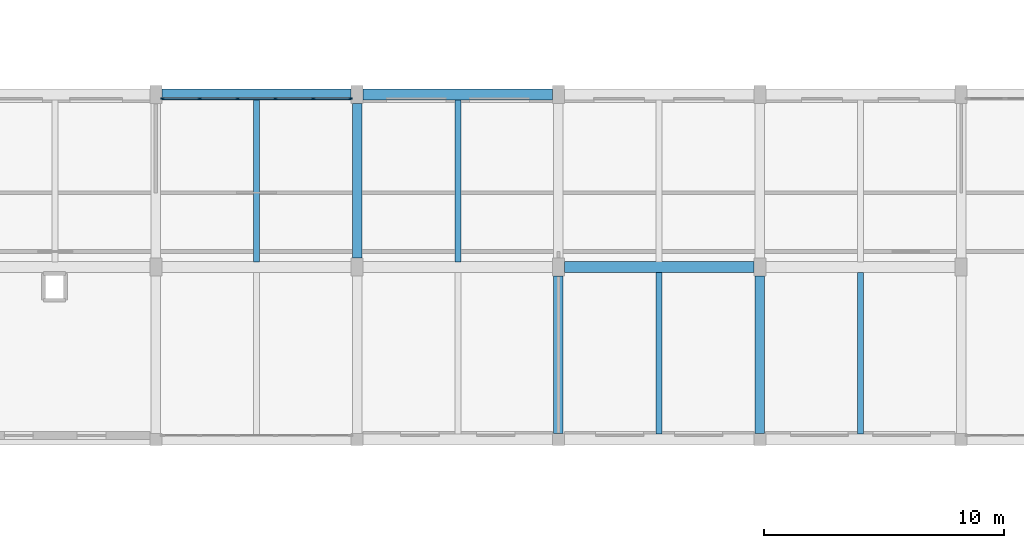
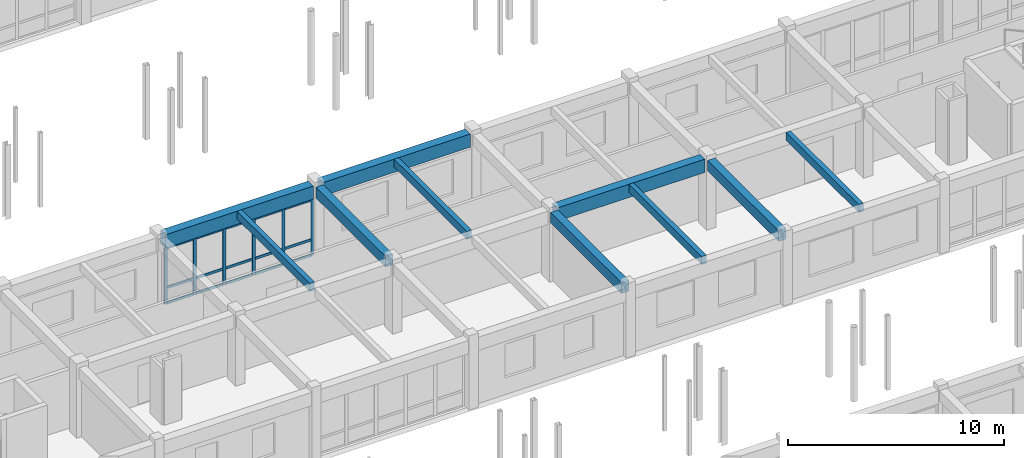
# One storey, part 41 of 90: 21 members, 10 beams, 1 element without a shape of its own.
"""IFC4 building model written with IfcOpenShell, lengths in metres."""

import ifcopenshell
import ifcopenshell.guid

model = None  # the IFC model being written
_history = None  # IfcOwnerHistory: only IFC2X3 demands one
_inside = {}  # id of a spatial element -> (the spatial element, [elements in it])
_under = {}  # id of a project, library or spatial element -> (it, [spatial elements below it])
_declared = {}  # id of a project -> (the project, [libraries it declares])
_typed = {}  # id of a type object -> (the type object, [elements of that type])
_made_of = {}  # id of a material, layer set ... -> (it, [elements and type objects made of it])


def new_model(schema):
    """Start an empty IFC model of exactly this schema.

    Asked for "IFC4X3", IfcOpenShell would pick the latest addendum, in which some entities
    have other attributes; the version numbers below select the first issue.
    IFC2X3 requires an IfcOwnerHistory on every rooted entity: one is made here for all.
    """
    global model, _history
    if schema == "IFC4X3":
        model = ifcopenshell.file(schema_version=(4, 3, 0, 0))
    else:
        model = ifcopenshell.file(schema=schema)
    _inside.clear()
    _under.clear()
    _declared.clear()
    _typed.clear()
    _made_of.clear()
    _history = None
    if model.schema == "IFC2X3":
        org = make("IfcOrganization", Name="unknown")
        user = make(
            "IfcPersonAndOrganization",
            ThePerson=make("IfcPerson", FamilyName="unknown"),
            TheOrganization=org,
        )
        app = make(
            "IfcApplication",
            ApplicationDeveloper=org,
            Version="unknown",
            ApplicationFullName="unknown",
            ApplicationIdentifier="unknown",
        )
        _history = make(
            "IfcOwnerHistory",
            OwningUser=user,
            OwningApplication=app,
            ChangeAction="ADDED",
            CreationDate=0,
        )
    return model


def make(cls, **values):
    """One entity of the class cls with the attributes given. An attribute that is None is left unset."""
    return model.create_entity(
        cls, **{name: value for name, value in values.items() if value is not None}
    )


def rooted(cls, **values):
    """An entity with a GlobalId (a new one), such as an element, a storey or a relation."""
    return make(cls, GlobalId=ifcopenshell.guid.new(), OwnerHistory=_history, **values)


def si_unit(unit_type, name, prefix=None):
    """IfcSIUnit, for example si_unit("LENGTHUNIT", "METRE", prefix="MILLI")."""
    return make("IfcSIUnit", UnitType=unit_type, Prefix=prefix, Name=name)


def assignment(units):
    """IfcUnitAssignment: the units of a project."""
    return None if units is None else make("IfcUnitAssignment", Units=units)


def point(xyz):
    """IfcCartesianPoint."""
    return None if xyz is None else make("IfcCartesianPoint", Coordinates=xyz)


def direction(xyz):
    """IfcDirection."""
    return None if xyz is None else make("IfcDirection", DirectionRatios=xyz)


def frame(location, z_axis=None, x_axis=None):
    """IfcAxis2Placement3D, a coordinate frame: its origin and axes. An axis left out is left unset."""
    return make(
        "IfcAxis2Placement3D",
        Location=point(location),
        Axis=direction(z_axis),
        RefDirection=direction(x_axis),
    )


def frame_2d(location, x_axis=None):
    """IfcAxis2Placement2D, a coordinate frame in the plane: its origin and x axis."""
    return make(
        "IfcAxis2Placement2D", Location=point(location), RefDirection=direction(x_axis)
    )


def origin():
    """The frame at (0, 0, 0) with its axes left unset."""
    return frame((0.0, 0.0, 0.0))


def origin_2d():
    """The frame at (0, 0) in the plane with its x axis left unset."""
    return frame_2d((0.0, 0.0))


def place(relative_to, where):
    """IfcLocalPlacement: puts the frame where relative to a parent placement (None: the world)."""
    return make(
        "IfcLocalPlacement", PlacementRelTo=relative_to, RelativePlacement=where
    )


def context(
    kind, dimensions, precision=None, world=None, true_north=None, identifier=None
):
    """IfcGeometricRepresentationContext, for example the 3D "Model" context."""
    return make(
        "IfcGeometricRepresentationContext",
        ContextIdentifier=identifier,
        ContextType=kind,
        CoordinateSpaceDimension=dimensions,
        Precision=precision,
        WorldCoordinateSystem=world,
        TrueNorth=true_north,
    )


def subcontext(parent, identifier, kind, view, scale=None):
    """IfcGeometricRepresentationSubContext, for example "Body" below "Model"."""
    return make(
        "IfcGeometricRepresentationSubContext",
        ContextIdentifier=identifier,
        ContextType=kind,
        ParentContext=parent,
        TargetScale=scale,
        TargetView=view,
    )


def project(units=None, contexts=None):
    """IfcProject with its units and contexts."""
    return rooted(
        "IfcProject",
        Name="project",
        RepresentationContexts=contexts,
        UnitsInContext=assignment(units),
    )


def spatial(cls, under=None, at=None, **own):
    """A site, building, storey or space (cls), placed at a placement, below another one or the project."""
    s = rooted(cls, ObjectPlacement=at, **own)
    if under is not None:
        _under.setdefault(under.id(), (under, []))[1].append(s)
    return s


def profile(cls, at=None, kind="AREA", **sizes):
    """A parametric profile (cls). Its sizes go by their IFC names, for example OverallWidth=200.0."""
    return make(cls, ProfileType=kind, Position=at, **sizes)


def rectangle(**sizes):
    """IfcRectangleProfileDef."""
    return profile("IfcRectangleProfileDef", **sizes)


def extrude(swept, where, along, depth):
    """IfcExtrudedAreaSolid: the profile swept, set in the frame where, extruded along a direction by depth."""
    return make(
        "IfcExtrudedAreaSolid",
        SweptArea=swept,
        Position=where,
        ExtrudedDirection=direction(along),
        Depth=depth,
    )


def shape(context_of_items, identifier, shape_type, items):
    """IfcShapeRepresentation: the items that make up one representation, for example the "Body"."""
    return make(
        "IfcShapeRepresentation",
        ContextOfItems=context_of_items,
        RepresentationIdentifier=identifier,
        RepresentationType=shape_type,
        Items=items,
    )


def material(Name=None, Category=None):
    """IfcMaterial."""
    return make("IfcMaterial", Name=Name, Category=Category)


def material_profile(
    of_material, cross_section, Name=None, Category=None, Priority=None
):
    """IfcMaterialProfile: a cross section and its material."""
    return make(
        "IfcMaterialProfile",
        Name=Name,
        Material=of_material,
        Profile=cross_section,
        Priority=Priority,
        Category=Category,
    )


def profile_set(profiles, Name=None, composite=None):
    """IfcMaterialProfileSet."""
    return make(
        "IfcMaterialProfileSet",
        Name=Name,
        MaterialProfiles=profiles,
        CompositeProfile=composite,
    )


def made_of(thing, what):
    """Note that an element or type object is made of a material, layer set ...; save() writes the relation."""
    if what is not None:
        _made_of.setdefault(what.id(), (what, []))[1].append(thing)
    return thing


def type_object(cls, material=None, **own):
    """A type object (cls), such as IfcWallType, which elements share."""
    return made_of(rooted(cls, **own), material)


def element(
    cls,
    number,
    at=None,
    inside=None,
    cuts=None,
    type_object=None,
    material=None,
    context=None,
    identifier="Body",
    shape_type=None,
    held_by="IfcProductDefinitionShape",
    body=None,
    shapes=None,
    **own,
):
    """One element of the class cls, such as IfcWall. Its Tag is "e" and its number.

    at: its placement. inside: the storey or other place that contains it. cuts: it is an
    opening in that element (IfcRelVoidsElement). A single representation is given by context,
    identifier, shape_type and body (its items); several are given by shapes. held_by: the class
    of the entity that holds the representations. save() writes the other relations.
    """
    e = rooted(cls, Tag="e%d" % number, ObjectPlacement=at, **own)
    if body is not None:
        shapes = [shape(context, identifier, shape_type, body)]
    if shapes is not None:
        e.Representation = make(held_by, Representations=shapes)
    if inside is not None:
        _inside.setdefault(inside.id(), (inside, []))[1].append(e)
    if cuts is not None:
        rooted(
            "IfcRelVoidsElement", RelatingBuildingElement=cuts, RelatedOpeningElement=e
        )
    if type_object is not None:
        _typed.setdefault(type_object.id(), (type_object, []))[1].append(e)
    return made_of(e, material)


def aggregate(whole, parts):
    """IfcRelAggregates: a whole, such as a stair, and the parts it consists of."""
    return rooted("IfcRelAggregates", RelatingObject=whole, RelatedObjects=parts)


def save(model, path):
    """Write the relations noted so far, then the file.

    IfcRelAggregates (storeys below a building ...), IfcRelContainedInSpatialStructure (elements
    in a storey), IfcRelDefinesByType, IfcRelAssociatesMaterial and IfcRelDeclares: one each for
    every whole, place, type object, material and project.
    """
    for whole, parts in _under.values():
        aggregate(whole, parts)
    for where, things in _inside.values():
        rooted(
            "IfcRelContainedInSpatialStructure",
            RelatedElements=things,
            RelatingStructure=where,
        )
    for kind, things in _typed.values():
        rooted("IfcRelDefinesByType", RelatedObjects=things, RelatingType=kind)
    for what, things in _made_of.values():
        rooted("IfcRelAssociatesMaterial", RelatedObjects=things, RelatingMaterial=what)
    for by, libraries in _declared.values():
        rooted("IfcRelDeclares", RelatingContext=by, RelatedDefinitions=libraries)
    model.write(path)


model = new_model("IFC4")

# Units and contexts
model_context = context("Model", 3, precision=1e-05, world=origin(), true_north=direction((0.0, 1.0)))
body_context = subcontext(model_context, "Body", "Model", "MODEL_VIEW")
ifc_project = project(units=[si_unit("LENGTHUNIT", "METRE"), si_unit("AREAUNIT", "SQUARE_METRE"), si_unit("VOLUMEUNIT", "CUBIC_METRE"), si_unit("PLANEANGLEUNIT", "RADIAN"), si_unit("MASSUNIT", "GRAM", prefix="KILO")], contexts=[model_context])

# Site, building, storey
site_placement = place(None, origin())
site = spatial("IfcSite", under=ifc_project, at=site_placement, CompositionType="ELEMENT")
building_placement = place(site_placement, origin())
building = spatial("IfcBuilding", under=site, at=building_placement, Name="Malvenik Polytechnic", CompositionType="ELEMENT")
storey_placement = place(building_placement, frame((0.0, 0.0, 9.300048828125)))
storey = spatial("IfcBuildingStorey", under=building, at=storey_placement, Name="L02", CompositionType="ELEMENT", Elevation=9.300048828125)

# Curtain wall, members
ifc_material_1 = material(Name="Anodised aluminium 6060-T6", Category="aluminium")
curtain_wall_type = type_object("IfcCurtainWallType", Name="ARC-CW-CW-03", PredefinedType="NOTDEFINED", material=ifc_material_1)
curtain_wall_placement = place(storey_placement, origin())
curtain_wall = element("IfcCurtainWall", 1, at=curtain_wall_placement, inside=storey, type_object=curtain_wall_type, Name="Unitised Curtain Wall CW-03 L02 #152", PredefinedType="NOTDEFINED")
ifc_material_2 = material(Name="Anodised aluminium", Category="aluminium")
ifc_material_profile_1 = material_profile(ifc_material_2, rectangle(XDim=0.06005859375, YDim=0.159912109375, at=origin_2d()), Name="ALU MULLION 60x160")
ifc_profile_set_1 = profile_set([ifc_material_profile_1], Name="Anodised aluminium")
member_type_1 = type_object("IfcMemberType", Name="ARC-CWM-160", PredefinedType="MULLION", material=ifc_profile_set_1)
member_1_placement = place(storey_placement, frame((33.8779296875, 93.429931640625, 0.0), z_axis=(0.0, 0.0, 1.0), x_axis=(0.0, 1.0, 0.0)))
member_1 = element("IfcMember", 2, at=member_1_placement, type_object=member_type_1, Name="CW-03 mullion 1", PredefinedType="MULLION", context=body_context, shape_type="SweptSolid", body=[
    extrude(rectangle(XDim=0.06005859375, YDim=0.159912109375, at=origin_2d()), origin(), (0.0, 0.0, 1.0), 3.179931640625),
])
member_2_placement = place(storey_placement, frame((35.4287109375, 93.429931640625, 0.0), z_axis=(0.0, 0.0, 1.0), x_axis=(0.0, 1.0, 0.0)))
member_2 = element("IfcMember", 3, at=member_2_placement, type_object=member_type_1, Name="CW-03 mullion 2", PredefinedType="MULLION", context=body_context, shape_type="SweptSolid", body=[
    extrude(rectangle(XDim=0.06005859375, YDim=0.159912109375, at=origin_2d()), origin(), (0.0, 0.0, 1.0), 3.179931640625),
])
member_3_placement = place(storey_placement, frame((37.009521484375, 93.429931640625, 0.0), z_axis=(0.0, 0.0, 1.0), x_axis=(0.0, 1.0, 0.0)))
member_3 = element("IfcMember", 4, at=member_3_placement, type_object=member_type_1, Name="CW-03 mullion 3", PredefinedType="MULLION", context=body_context, shape_type="SweptSolid", body=[
    extrude(rectangle(XDim=0.06005859375, YDim=0.159912109375, at=origin_2d()), origin(), (0.0, 0.0, 1.0), 3.179931640625),
])
member_4_placement = place(storey_placement, frame((38.59033203125, 93.429931640625, 0.0), z_axis=(0.0, 0.0, 1.0), x_axis=(0.0, 1.0, 0.0)))
member_4 = element("IfcMember", 5, at=member_4_placement, type_object=member_type_1, Name="CW-03 mullion 4", PredefinedType="MULLION", context=body_context, shape_type="SweptSolid", body=[
    extrude(rectangle(XDim=0.06005859375, YDim=0.159912109375, at=origin_2d()), origin(), (0.0, 0.0, 1.0), 3.179931640625),
])
member_5_placement = place(storey_placement, frame((40.171142578125, 93.429931640625, 0.0), z_axis=(0.0, 0.0, 1.0), x_axis=(0.0, 1.0, 0.0)))
member_5 = element("IfcMember", 6, at=member_5_placement, type_object=member_type_1, Name="CW-03 mullion 5", PredefinedType="MULLION", context=body_context, shape_type="SweptSolid", body=[
    extrude(rectangle(XDim=0.06005859375, YDim=0.159912109375, at=origin_2d()), origin(), (0.0, 0.0, 1.0), 3.179931640625),
])
member_6_placement = place(storey_placement, frame((41.721923828125, 93.429931640625, 0.0), z_axis=(0.0, 0.0, 1.0), x_axis=(0.0, 1.0, 0.0)))
member_6 = element("IfcMember", 7, at=member_6_placement, type_object=member_type_1, Name="CW-03 mullion 6", PredefinedType="MULLION", context=body_context, shape_type="SweptSolid", body=[
    extrude(rectangle(XDim=0.06005859375, YDim=0.159912109375, at=origin_2d()), origin(), (0.0, 0.0, 1.0), 3.179931640625),
])
ifc_material_profile_2 = material_profile(ifc_material_2, rectangle(XDim=0.06005859375, YDim=0.139892578125, at=origin_2d()), Name="ALU TRANSOM 60x140")
ifc_profile_set_2 = profile_set([ifc_material_profile_2], Name="Anodised aluminium")
member_type_2 = type_object("IfcMemberType", Name="ARC-CWT-140", PredefinedType="USERDEFINED", material=ifc_profile_set_2)
member_7_placement = place(storey_placement, frame((33.907958984375, 93.429931640625, 0.030029296875), z_axis=(1.0, 0.0, 0.0), x_axis=(0.0, 1.0, 0.0)))
member_7 = element("IfcMember", 8, at=member_7_placement, type_object=member_type_2, Name="CW-03 transom 1.1", ObjectType="TRANSOM", PredefinedType="USERDEFINED", context=body_context, shape_type="SweptSolid", body=[
    extrude(rectangle(XDim=0.06005859375, YDim=0.139892578125, at=origin_2d()), origin(), (0.0, 0.0, 1.0), 1.49072265625),
])
member_8_placement = place(storey_placement, frame((33.907958984375, 93.429931640625, 0.89990234375), z_axis=(1.0, 0.0, 0.0), x_axis=(0.0, 1.0, 0.0)))
member_8 = element("IfcMember", 9, at=member_8_placement, type_object=member_type_2, Name="CW-03 transom 1.2", ObjectType="TRANSOM", PredefinedType="USERDEFINED", context=body_context, shape_type="SweptSolid", body=[
    extrude(rectangle(XDim=0.06005859375, YDim=0.139892578125, at=origin_2d()), origin(), (0.0, 0.0, 1.0), 1.49072265625),
])
member_9_placement = place(storey_placement, frame((33.907958984375, 93.429931640625, 3.14990234375), z_axis=(1.0, 0.0, 0.0), x_axis=(0.0, 1.0, 0.0)))
member_9 = element("IfcMember", 10, at=member_9_placement, type_object=member_type_2, Name="CW-03 transom 1.3", ObjectType="TRANSOM", PredefinedType="USERDEFINED", context=body_context, shape_type="SweptSolid", body=[
    extrude(rectangle(XDim=0.06005859375, YDim=0.139892578125, at=origin_2d()), origin(), (0.0, 0.0, 1.0), 1.49072265625),
])
member_10_placement = place(storey_placement, frame((35.458740234375, 93.429931640625, 0.030029296875), z_axis=(1.0, 0.0, 0.0), x_axis=(0.0, 1.0, 0.0)))
member_10 = element("IfcMember", 11, at=member_10_placement, type_object=member_type_2, Name="CW-03 transom 2.1", ObjectType="TRANSOM", PredefinedType="USERDEFINED", context=body_context, shape_type="SweptSolid", body=[
    extrude(rectangle(XDim=0.06005859375, YDim=0.139892578125, at=origin_2d()), origin(), (0.0, 0.0, 1.0), 1.520751953125),
])
member_11_placement = place(storey_placement, frame((35.458740234375, 93.429931640625, 0.89990234375), z_axis=(1.0, 0.0, 0.0), x_axis=(0.0, 1.0, 0.0)))
member_11 = element("IfcMember", 12, at=member_11_placement, type_object=member_type_2, Name="CW-03 transom 2.2", ObjectType="TRANSOM", PredefinedType="USERDEFINED", context=body_context, shape_type="SweptSolid", body=[
    extrude(rectangle(XDim=0.06005859375, YDim=0.139892578125, at=origin_2d()), origin(), (0.0, 0.0, 1.0), 1.520751953125),
])
member_12_placement = place(storey_placement, frame((35.458740234375, 93.429931640625, 3.14990234375), z_axis=(1.0, 0.0, 0.0), x_axis=(0.0, 1.0, 0.0)))
member_12 = element("IfcMember", 13, at=member_12_placement, type_object=member_type_2, Name="CW-03 transom 2.3", ObjectType="TRANSOM", PredefinedType="USERDEFINED", context=body_context, shape_type="SweptSolid", body=[
    extrude(rectangle(XDim=0.06005859375, YDim=0.139892578125, at=origin_2d()), origin(), (0.0, 0.0, 1.0), 1.520751953125),
])
member_13_placement = place(storey_placement, frame((37.03955078125, 93.429931640625, 0.030029296875), z_axis=(1.0, 0.0, 0.0), x_axis=(0.0, 1.0, 0.0)))
member_13 = element("IfcMember", 14, at=member_13_placement, type_object=member_type_2, Name="CW-03 transom 3.1", ObjectType="TRANSOM", PredefinedType="USERDEFINED", context=body_context, shape_type="SweptSolid", body=[
    extrude(rectangle(XDim=0.06005859375, YDim=0.139892578125, at=origin_2d()), origin(), (0.0, 0.0, 1.0), 1.520751953125),
])
member_14_placement = place(storey_placement, frame((37.03955078125, 93.429931640625, 0.89990234375), z_axis=(1.0, 0.0, 0.0), x_axis=(0.0, 1.0, 0.0)))
member_14 = element("IfcMember", 15, at=member_14_placement, type_object=member_type_2, Name="CW-03 transom 3.2", ObjectType="TRANSOM", PredefinedType="USERDEFINED", context=body_context, shape_type="SweptSolid", body=[
    extrude(rectangle(XDim=0.06005859375, YDim=0.139892578125, at=origin_2d()), origin(), (0.0, 0.0, 1.0), 1.520751953125),
])
member_15_placement = place(storey_placement, frame((37.03955078125, 93.429931640625, 3.14990234375), z_axis=(1.0, 0.0, 0.0), x_axis=(0.0, 1.0, 0.0)))
member_15 = element("IfcMember", 16, at=member_15_placement, type_object=member_type_2, Name="CW-03 transom 3.3", ObjectType="TRANSOM", PredefinedType="USERDEFINED", context=body_context, shape_type="SweptSolid", body=[
    extrude(rectangle(XDim=0.06005859375, YDim=0.139892578125, at=origin_2d()), origin(), (0.0, 0.0, 1.0), 1.520751953125),
])
member_16_placement = place(storey_placement, frame((38.620361328125, 93.429931640625, 0.030029296875), z_axis=(1.0, 0.0, 0.0), x_axis=(0.0, 1.0, 0.0)))
member_16 = element("IfcMember", 17, at=member_16_placement, type_object=member_type_2, Name="CW-03 transom 4.1", ObjectType="TRANSOM", PredefinedType="USERDEFINED", context=body_context, shape_type="SweptSolid", body=[
    extrude(rectangle(XDim=0.06005859375, YDim=0.139892578125, at=origin_2d()), origin(), (0.0, 0.0, 1.0), 1.520751953125),
])
member_17_placement = place(storey_placement, frame((38.620361328125, 93.429931640625, 0.89990234375), z_axis=(1.0, 0.0, 0.0), x_axis=(0.0, 1.0, 0.0)))
member_17 = element("IfcMember", 18, at=member_17_placement, type_object=member_type_2, Name="CW-03 transom 4.2", ObjectType="TRANSOM", PredefinedType="USERDEFINED", context=body_context, shape_type="SweptSolid", body=[
    extrude(rectangle(XDim=0.06005859375, YDim=0.139892578125, at=origin_2d()), origin(), (0.0, 0.0, 1.0), 1.520751953125),
])
member_18_placement = place(storey_placement, frame((38.620361328125, 93.429931640625, 3.14990234375), z_axis=(1.0, 0.0, 0.0), x_axis=(0.0, 1.0, 0.0)))
member_18 = element("IfcMember", 19, at=member_18_placement, type_object=member_type_2, Name="CW-03 transom 4.3", ObjectType="TRANSOM", PredefinedType="USERDEFINED", context=body_context, shape_type="SweptSolid", body=[
    extrude(rectangle(XDim=0.06005859375, YDim=0.139892578125, at=origin_2d()), origin(), (0.0, 0.0, 1.0), 1.520751953125),
])
member_19_placement = place(storey_placement, frame((40.201171875, 93.429931640625, 0.030029296875), z_axis=(1.0, 0.0, 0.0), x_axis=(0.0, 1.0, 0.0)))
member_19 = element("IfcMember", 20, at=member_19_placement, type_object=member_type_2, Name="CW-03 transom 5.1", ObjectType="TRANSOM", PredefinedType="USERDEFINED", context=body_context, shape_type="SweptSolid", body=[
    extrude(rectangle(XDim=0.06005859375, YDim=0.139892578125, at=origin_2d()), origin(), (0.0, 0.0, 1.0), 1.49072265625),
])
member_20_placement = place(storey_placement, frame((40.201171875, 93.429931640625, 0.89990234375), z_axis=(1.0, 0.0, 0.0), x_axis=(0.0, 1.0, 0.0)))
member_20 = element("IfcMember", 21, at=member_20_placement, type_object=member_type_2, Name="CW-03 transom 5.2", ObjectType="TRANSOM", PredefinedType="USERDEFINED", context=body_context, shape_type="SweptSolid", body=[
    extrude(rectangle(XDim=0.06005859375, YDim=0.139892578125, at=origin_2d()), origin(), (0.0, 0.0, 1.0), 1.49072265625),
])
member_21_placement = place(storey_placement, frame((40.201171875, 93.429931640625, 3.14990234375), z_axis=(1.0, 0.0, 0.0), x_axis=(0.0, 1.0, 0.0)))
member_21 = element("IfcMember", 22, at=member_21_placement, type_object=member_type_2, Name="CW-03 transom 5.3", ObjectType="TRANSOM", PredefinedType="USERDEFINED", context=body_context, shape_type="SweptSolid", body=[
    extrude(rectangle(XDim=0.06005859375, YDim=0.139892578125, at=origin_2d()), origin(), (0.0, 0.0, 1.0), 1.49072265625),
])
aggregate(curtain_wall, [member_1, member_2, member_3, member_4, member_5, member_6, member_7, member_8, member_9, member_10, member_11, member_12, member_13, member_14, member_15, member_16, member_17, member_18, member_19, member_20, member_21])

# Beams
ifc_material_3 = material(Name="Concrete C35/45", Category="concrete")
ifc_material_profile_3 = material_profile(ifc_material_3, rectangle(XDim=0.449951171875, YDim=0.75, at=origin_2d()), Name="RC BM 450x750")
ifc_profile_set_3 = profile_set([ifc_material_profile_3], Name="Concrete C35/45")
beam_type_1 = type_object("IfcBeamType", Name="STR-BM-B-03", PredefinedType="BEAM", material=ifc_profile_set_3)
beam_1_placement = place(storey_placement, frame((50.64794921875, 86.39990234375, 3.56494140625), z_axis=(1.0, 0.0, 0.0), x_axis=(0.0, 1.0, 0.0)))
element("IfcBeam", 23, at=beam_1_placement, inside=storey, type_object=beam_type_1, Name="Primary Beam B-03 L02 #1396", PredefinedType="BEAM", context=body_context, shape_type="SweptSolid", body=[
    extrude(rectangle(XDim=0.449951171875, YDim=0.75, at=origin_2d()), origin(), (0.0, 0.0, 1.0), 7.904052734375),
])
ifc_material_profile_4 = material_profile(ifc_material_3, rectangle(XDim=0.39990234375, YDim=0.60009765625, at=origin_2d()), Name="RC BM 400x600")
ifc_profile_set_4 = profile_set([ifc_material_profile_4], Name="Concrete C35/45")
beam_type_2 = type_object("IfcBeamType", Name="STR-BM-B-06", PredefinedType="BEAM", material=ifc_profile_set_4)
beam_2_placement = place(storey_placement, frame((42.0, 86.77294921875, 3.639892578125), z_axis=(0.0, 1.0, 0.0), x_axis=(-1.0, 0.0, 0.0)))
element("IfcBeam", 24, at=beam_2_placement, inside=storey, type_object=beam_type_2, Name="Transverse Beam B-06 L02 #1488", PredefinedType="BEAM", context=body_context, shape_type="SweptSolid", body=[
    extrude(rectangle(XDim=0.39990234375, YDim=0.60009765625, at=origin_2d()), origin(), (0.0, 0.0, 1.0), 6.4541015625),
])
for number, where, z_axis, x_axis, name in (
    (25, (50.39990234375, 79.447998046875, 3.639892578125), (0.0, 1.0, 0.0), (-1.0, 0.0, 0.0), "Transverse Beam B-06 L02 #1493"),
    (26, (58.800048828125, 79.447998046875, 3.639892578125), (0.0, 1.0, 0.0), (-1.0, 0.0, 0.0), "Transverse Beam B-06 L02 #1499"),
):
    element("IfcBeam", number, at=place(storey_placement, frame(where, z_axis=z_axis, x_axis=x_axis)), inside=storey, type_object=beam_type_2, Name=name, PredefinedType="BEAM", context=body_context, shape_type="SweptSolid", body=[
        extrude(rectangle(XDim=0.39990234375, YDim=0.60009765625, at=origin_2d()), origin(), (0.0, 0.0, 1.0), 6.5791015625),
    ])
ifc_material_4 = material(Name="Concrete C30/37", Category="concrete")
ifc_material_profile_5 = material_profile(ifc_material_4, rectangle(XDim=0.25, YDim=0.449951171875, at=origin_2d()), Name="RC JST 250x450")
ifc_profile_set_5 = profile_set([ifc_material_profile_5], Name="Concrete C30/37")
beam_type_3 = type_object("IfcBeamType", Name="STR-BM-J-02", PredefinedType="JOIST", material=ifc_profile_set_5)
for number, where, z_axis, x_axis, name in (
    (27, (37.800048828125, 86.623046875, 3.71484375), (0.0, 1.0, 0.0), (-1.0, 0.0, 0.0), "Secondary Rib Joist J-02 L02 #1572"),
    (28, (46.199951171875, 86.623046875, 3.71484375), (0.0, 1.0, 0.0), (-1.0, 0.0, 0.0), "Secondary Rib Joist J-02 L02 #1576"),
    (29, (54.60009765625, 79.427978515625, 3.71484375), (0.0, 1.0, 0.0), (-1.0, 0.0, 0.0), "Secondary Rib Joist J-02 L02 #1581"),
    (30, (63.0, 79.427978515625, 3.71484375), (0.0, 1.0, 0.0), (-1.0, 0.0, 0.0), "Secondary Rib Joist J-02 L02 #1585"),
):
    element("IfcBeam", number, at=place(storey_placement, frame(where, z_axis=z_axis, x_axis=x_axis)), inside=storey, type_object=beam_type_3, Name=name, PredefinedType="JOIST", context=body_context, shape_type="SweptSolid", body=[
        extrude(rectangle(XDim=0.25, YDim=0.449951171875, at=origin_2d()), origin(), (0.0, 0.0, 1.0), 6.7490234375),
    ])
ifc_material_5 = material(Name="Precast concrete C40/50", Category="concrete")
ifc_material_profile_6 = material_profile(ifc_material_5, rectangle(XDim=0.4599609375, YDim=0.75, at=origin_2d()), Name="PC SPN 460x750")
ifc_profile_set_6 = profile_set([ifc_material_profile_6], Name="Precast concrete C40/50")
beam_type_4 = type_object("IfcBeamType", Name="STR-BM-SP-02", PredefinedType="SPANDREL", material=ifc_profile_set_6)
for number, where, z_axis, x_axis, name in (
    (31, (33.847900390625, 93.60009765625, 3.56494140625), (1.0, 0.0, 0.0), (0.0, 1.0, 0.0), "Primary Beam SP-02 L02 #1408"),
    (32, (42.248046875, 93.60009765625, 3.56494140625), (1.0, 0.0, 0.0), (0.0, 1.0, 0.0), "Primary Beam SP-02 L02 #1409"),
):
    element("IfcBeam", number, at=place(storey_placement, frame(where, z_axis=z_axis, x_axis=x_axis)), inside=storey, type_object=beam_type_4, Name=name, PredefinedType="SPANDREL", context=body_context, shape_type="SweptSolid", body=[
        extrude(rectangle(XDim=0.4599609375, YDim=0.75, at=origin_2d()), origin(), (0.0, 0.0, 1.0), 7.904052734375),
    ])

save(model, "model.ifc")
